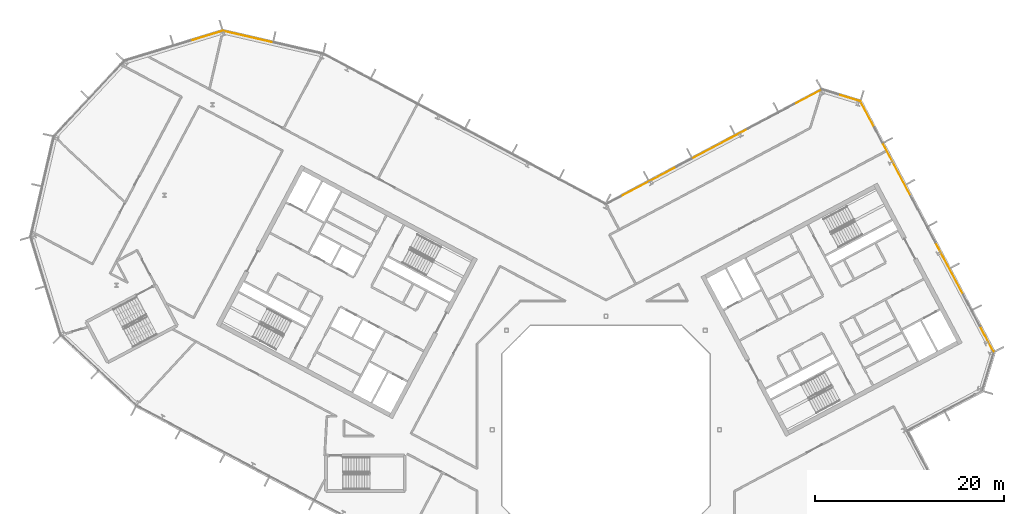
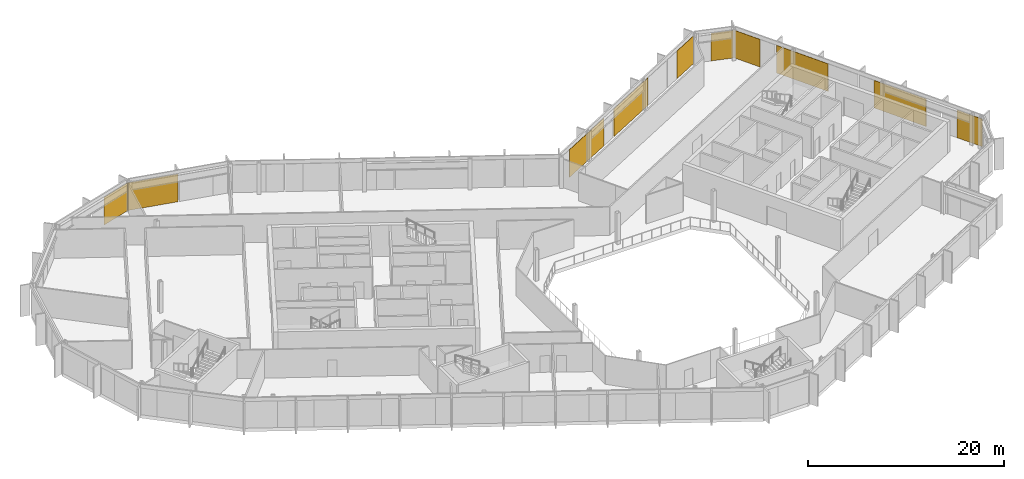
# One storey, part 26 of 26: 10 coverings, 5 elements without a shape of their own.
"""IFC4 building model written with IfcOpenShell, lengths in metres."""

from ifc_helpers import new_model, si_unit, direction, frame, origin, origin_2d, place, context, subcontext, project, spatial, rectangle, extrude, material, layer, layer_set, type_object, element, aggregate, save


model = new_model("IFC4")

# Units and contexts
model_context = context("Model", 3, precision=1e-05, world=origin(), true_north=direction((0.0, 1.0)))
body_context = subcontext(model_context, "Body", "Model", "MODEL_VIEW")
ifc_project = project(units=[si_unit("LENGTHUNIT", "METRE"), si_unit("AREAUNIT", "SQUARE_METRE"), si_unit("VOLUMEUNIT", "CUBIC_METRE"), si_unit("PLANEANGLEUNIT", "RADIAN"), si_unit("MASSUNIT", "GRAM", prefix="KILO")], contexts=[model_context])

# Site, building, storey
site_placement = place(None, origin())
site = spatial("IfcSite", under=ifc_project, at=site_placement, CompositionType="ELEMENT")
building_placement = place(site_placement, origin())
building = spatial("IfcBuilding", under=site, at=building_placement, Name="Cormorant Relay Tower", CompositionType="ELEMENT")
storey_placement = place(building_placement, frame((0.0, 0.0, 320.39990234375)))
storey = spatial("IfcBuildingStorey", under=building, at=storey_placement, Name="L73", CompositionType="ELEMENT", Elevation=320.39990234375)

# Curtain wall, coverings
ifc_material_1 = material(Name="Aluminium 6063-T6 anodised bronze", Category="aluminium")
ifc_layer_1 = layer(ifc_material_1, 0.199951171875)
ifc_layer_set_1 = layer_set([ifc_layer_1], Name="CW1 unitised bronze curtain wall with vertical fins")
curtain_wall_type = type_object("IfcCurtainWallType", Name="CW1 unitised bronze curtain wall with vertical fins", PredefinedType="NOTDEFINED", material=ifc_layer_set_1)
curtain_wall_1_placement = place(storey_placement, origin())
curtain_wall_1 = element("IfcCurtainWall", 1, at=curtain_wall_1_placement, inside=storey, type_object=curtain_wall_type, Name="CW1 curtain wall 6", PredefinedType="NOTDEFINED")
ifc_material_2 = material(Name="Pale bronze anodised aluminium insulated panel", Category="aluminium")
ifc_layer_2 = layer(ifc_material_2, 0.0400390625)
ifc_layer_set_2 = layer_set([ifc_layer_2], Name="CW1 pale bronze insulated panel 40")
covering_type = type_object("IfcCoveringType", Name="CW1 pale bronze insulated panel 40", PredefinedType="CLADDING", material=ifc_layer_set_2)
covering_1_placement = place(storey_placement, frame((40.218017578125, 9.605712890625, 0.0), z_axis=(0.0, 0.0, 1.0), x_axis=(-0.469471562786, 0.882947592859, 0.0)))
covering_1 = element("IfcCovering", 2, at=covering_1_placement, type_object=covering_type, Name="CW1 panel S00", PredefinedType="CLADDING", context=body_context, shape_type="SweptSolid", body=[
    extrude(rectangle(XDim=3.050048828125, YDim=0.0400390625, at=origin_2d()), origin(), (0.0, 0.0, 1.0), 3.449951171875),
])
covering_2_placement = place(storey_placement, frame((36.2744140625, 17.0224609375, 0.0), z_axis=(0.0, 0.0, 1.0), x_axis=(-0.469471562786, 0.882947592859, 0.0)))
covering_2 = element("IfcCovering", 3, at=covering_2_placement, type_object=covering_type, Name="CW1 panel S03", PredefinedType="CLADDING", context=body_context, shape_type="SweptSolid", body=[
    extrude(rectangle(XDim=6.25, YDim=0.0400390625, at=origin_2d()), origin(), (0.0, 0.0, 1.0), 3.449951171875),
])
covering_3_placement = place(storey_placement, frame((30.734619140625, 27.441162109375, 0.0), z_axis=(0.0, 0.0, 1.0), x_axis=(-0.469471562786, 0.882947592859, 0.0)))
covering_3 = element("IfcCovering", 4, at=covering_3_placement, type_object=covering_type, Name="CW1 panel S06", PredefinedType="CLADDING", context=body_context, shape_type="SweptSolid", body=[
    extrude(rectangle(XDim=6.25, YDim=0.0400390625, at=origin_2d()), origin(), (0.0, 0.0, 1.0), 3.449951171875),
])
covering_4_placement = place(storey_placement, frame((27.61865234375, 33.3017578125, 0.0), z_axis=(0.0, 0.0, 1.0), x_axis=(-0.469471562786, 0.882947592859, 0.0)))
covering_4 = element("IfcCovering", 5, at=covering_4_placement, type_object=covering_type, Name="CW1 panel S08", PredefinedType="CLADDING", context=body_context, shape_type="SweptSolid", body=[
    extrude(rectangle(XDim=3.125, YDim=0.0400390625, at=origin_2d()), origin(), (0.0, 0.0, 1.0), 3.449951171875),
])
aggregate(curtain_wall_1, [covering_1, covering_2, covering_3, covering_4])

# Curtain wall, covering
curtain_wall_2_placement = place(storey_placement, origin())
curtain_wall_2 = element("IfcCurtainWall", 6, at=curtain_wall_2_placement, inside=storey, type_object=curtain_wall_type, Name="CW1 curtain wall 7", PredefinedType="NOTDEFINED")
covering_5_placement = place(storey_placement, frame((25.66943359375, 35.05908203125, 0.0), z_axis=(0.0, 0.0, 1.0), x_axis=(-0.956304755963, 0.292371704723, 0.0)))
covering_5 = element("IfcCovering", 7, at=covering_5_placement, type_object=covering_type, Name="CW1 panel S00", PredefinedType="CLADDING", context=body_context, shape_type="SweptSolid", body=[
    extrude(rectangle(XDim=2.36767578125, YDim=0.0400390625, at=origin_2d()), origin(), (0.0, 0.0, 1.0), 3.449951171875),
])
aggregate(curtain_wall_2, [covering_5])

# Curtain wall, coverings
curtain_wall_3_placement = place(storey_placement, origin())
curtain_wall_3 = element("IfcCurtainWall", 8, at=curtain_wall_3_placement, inside=storey, type_object=curtain_wall_type, Name="CW1 curtain wall 8", PredefinedType="NOTDEFINED")
covering_6_placement = place(storey_placement, frame((21.314453125, 35.1396484375, 0.0), z_axis=(0.0, 0.0, 1.0), x_axis=(-0.882947592859, -0.469471562786, 0.0)))
covering_6 = element("IfcCovering", 9, at=covering_6_placement, type_object=covering_type, Name="CW1 panel S00", PredefinedType="CLADDING", context=body_context, shape_type="SweptSolid", body=[
    extrude(rectangle(XDim=3.216796875, YDim=0.0400390625, at=origin_2d()), origin(), (0.0, 0.0, 1.0), 3.449951171875),
])
covering_7_placement = place(storey_placement, frame((12.08740234375, 30.233642578125, 0.0), z_axis=(0.0, 0.0, 1.0), x_axis=(-0.882947592859, -0.469471562786, 0.0)))
covering_7 = element("IfcCovering", 10, at=covering_7_placement, type_object=covering_type, Name="CW1 panel S03", PredefinedType="CLADDING", context=body_context, shape_type="SweptSolid", body=[
    extrude(rectangle(XDim=6.58349609375, YDim=0.0400390625, at=origin_2d()), origin(), (0.0, 0.0, 1.0), 3.449951171875),
])
covering_8_placement = place(storey_placement, frame((4.51953125, 26.209716796875, 0.0), z_axis=(0.0, 0.0, 1.0), x_axis=(-0.882947592859, -0.469471562786, 0.0)))
covering_8 = element("IfcCovering", 11, at=covering_8_placement, type_object=covering_type, Name="CW1 panel S05", PredefinedType="CLADDING", context=body_context, shape_type="SweptSolid", body=[
    extrude(rectangle(XDim=6.65869140625, YDim=0.0400390625, at=origin_2d()), origin(), (0.0, 0.0, 1.0), 3.449951171875),
])
aggregate(curtain_wall_3, [covering_6, covering_7, covering_8])

# Curtain wall, covering
curtain_wall_4_placement = place(storey_placement, origin())
curtain_wall_4 = element("IfcCurtainWall", 12, at=curtain_wall_4_placement, inside=storey, type_object=curtain_wall_type, Name="CW1 curtain wall 10", PredefinedType="NOTDEFINED")
covering_9_placement = place(storey_placement, frame((-37.849609375, 41.530029296875, 0.0), z_axis=(0.0, 0.0, 1.0), x_axis=(-0.974370064785, 0.224951054344, 0.0)))
covering_9 = element("IfcCovering", 13, at=covering_9_placement, type_object=covering_type, Name="CW1 panel S02", PredefinedType="CLADDING", context=body_context, shape_type="SweptSolid", body=[
    extrude(rectangle(XDim=5.360107421875, YDim=0.0400390625, at=origin_2d()), origin(), (0.0, 0.0, 1.0), 3.449951171875),
])
aggregate(curtain_wall_4, [covering_9])

curtain_wall_5_placement = place(storey_placement, origin())
curtain_wall_5 = element("IfcCurtainWall", 14, at=curtain_wall_5_placement, inside=storey, type_object=curtain_wall_type, Name="CW1 curtain wall 11", PredefinedType="NOTDEFINED")
covering_10_placement = place(storey_placement, frame((-42.209716796875, 41.60107421875, 0.0), z_axis=(0.0, 0.0, 1.0), x_axis=(-0.956304755963, -0.292371704723, 0.0)))
covering_10 = element("IfcCovering", 15, at=covering_10_placement, type_object=covering_type, Name="CW1 panel S00", PredefinedType="CLADDING", context=body_context, shape_type="SweptSolid", body=[
    extrude(rectangle(XDim=3.485107421875, YDim=0.0400390625, at=origin_2d()), origin(), (0.0, 0.0, 1.0), 3.449951171875),
])
aggregate(curtain_wall_5, [covering_10])

save(model, "model.ifc")
